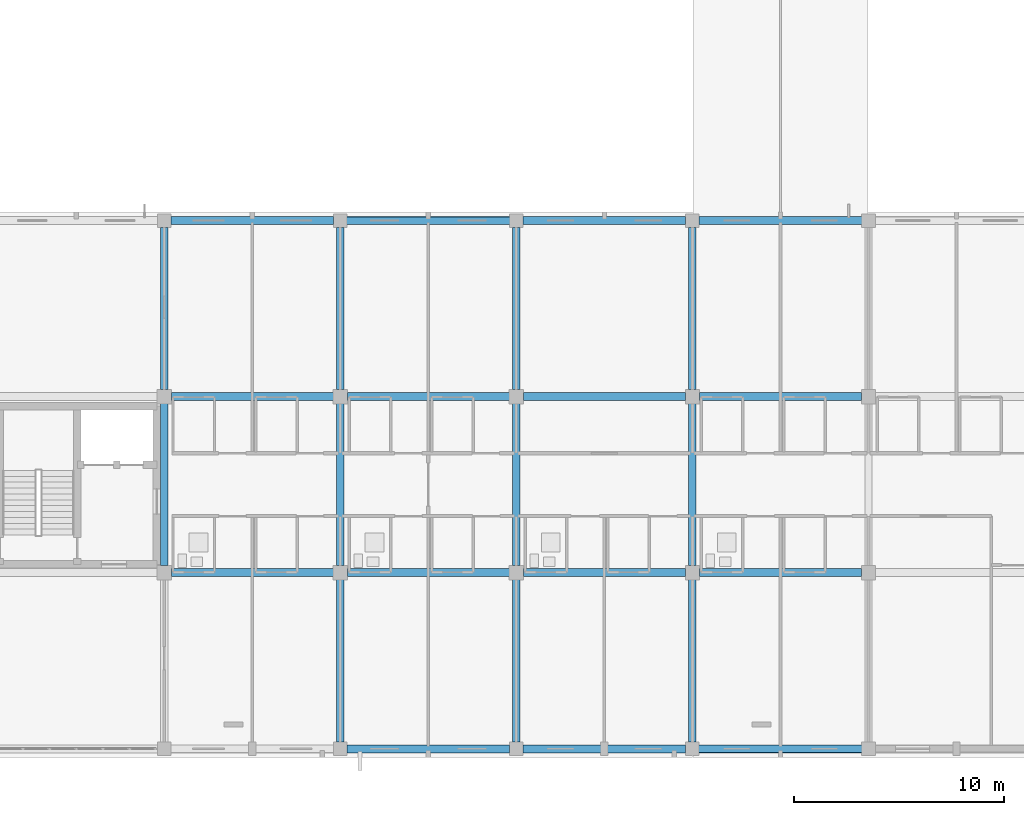
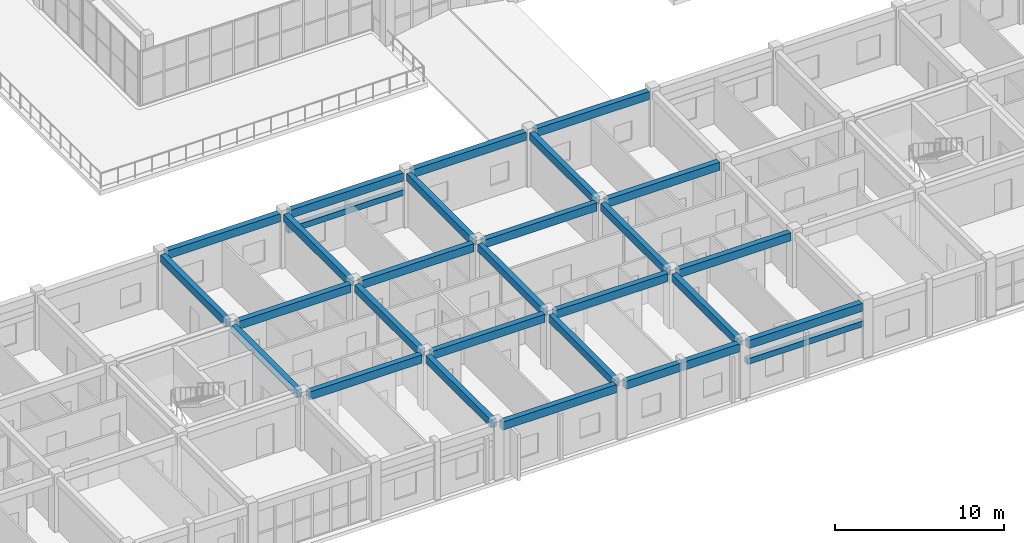
# One storey, part 13 of 90: 28 beams.
"""IFC4 building model written with IfcOpenShell, lengths in metres."""

from ifc_helpers import new_model, si_unit, direction, frame, origin, origin_2d, place, context, subcontext, project, spatial, rectangle, extrude, material, material_profile, profile_set, type_object, element, save


model = new_model("IFC4")

# Units and contexts
model_context = context("Model", 3, precision=1e-05, world=origin(), true_north=direction((0.0, 1.0)))
body_context = subcontext(model_context, "Body", "Model", "MODEL_VIEW")
ifc_project = project(units=[si_unit("LENGTHUNIT", "METRE"), si_unit("AREAUNIT", "SQUARE_METRE"), si_unit("VOLUMEUNIT", "CUBIC_METRE"), si_unit("PLANEANGLEUNIT", "RADIAN"), si_unit("MASSUNIT", "GRAM", prefix="KILO")], contexts=[model_context])

# Site, building, storey
site_placement = place(None, origin())
site = spatial("IfcSite", under=ifc_project, at=site_placement, CompositionType="ELEMENT")
building_placement = place(site_placement, origin())
building = spatial("IfcBuilding", under=site, at=building_placement, Name="Trelvath General Hospital", CompositionType="ELEMENT")
storey_placement = place(building_placement, frame((0.0, 0.0, 20.39990234375)))
storey = spatial("IfcBuildingStorey", under=building, at=storey_placement, Name="L05", CompositionType="ELEMENT", Elevation=20.39990234375)

# Beams
ifc_material_1 = material(Name="Concrete C35/45", Category="concrete")
ifc_material_profile_1 = material_profile(ifc_material_1, rectangle(XDim=0.35009765625, YDim=0.550048828125, at=origin_2d()), Name="RCB350x550")
ifc_profile_set_1 = profile_set([ifc_material_profile_1], Name="Concrete C35/45")
beam_type_1 = type_object("IfcBeamType", Name="Beam RC350x550", PredefinedType="BEAM", material=ifc_profile_set_1)
beam_1_placement = place(storey_placement, frame((50.39990234375, 8.735107421875, 3.64501953125), z_axis=(0.0, 1.0, 0.0), x_axis=(-1.0, 0.0, 0.0)))
element("IfcBeam", 1, at=beam_1_placement, inside=storey, type_object=beam_type_1, Name="Grid Beam BY-506B", PredefinedType="BEAM", context=body_context, shape_type="SweptSolid", body=[
    extrude(rectangle(XDim=0.35009765625, YDim=0.550048828125, at=origin_2d()), origin(), (0.0, 0.0, 1.0), 7.72998046875),
])
for number, where, z_axis, x_axis, name in (
    (2, (50.39990234375, 17.135009765625, 3.64501953125), (0.0, 1.0, 0.0), (-1.0, 0.0, 0.0), "Grid Beam BY-506C"),
    (3, (58.800048828125, 0.320068359375, 3.64501953125), (0.0, 1.0, 0.0), (-1.0, 0.0, 0.0), "Grid Beam BY-507A"),
):
    element("IfcBeam", number, at=place(storey_placement, frame(where, z_axis=z_axis, x_axis=x_axis)), inside=storey, type_object=beam_type_1, Name=name, PredefinedType="BEAM", context=body_context, shape_type="SweptSolid", body=[
        extrude(rectangle(XDim=0.35009765625, YDim=0.550048828125, at=origin_2d()), origin(), (0.0, 0.0, 1.0), 7.744873046875),
    ])
beam_2_placement = place(storey_placement, frame((58.800048828125, 8.735107421875, 3.64501953125), z_axis=(0.0, 1.0, 0.0), x_axis=(-1.0, 0.0, 0.0)))
element("IfcBeam", 4, at=beam_2_placement, inside=storey, type_object=beam_type_1, Name="Grid Beam BY-507B", PredefinedType="BEAM", context=body_context, shape_type="SweptSolid", body=[
    extrude(rectangle(XDim=0.35009765625, YDim=0.550048828125, at=origin_2d()), origin(), (0.0, 0.0, 1.0), 7.72998046875),
])
for number, where, z_axis, x_axis, name in (
    (5, (58.800048828125, 17.135009765625, 3.64501953125), (0.0, 1.0, 0.0), (-1.0, 0.0, 0.0), "Grid Beam BY-507C"),
    (6, (67.199951171875, 0.320068359375, 3.64501953125), (0.0, 1.0, 0.0), (-1.0, 0.0, 0.0), "Grid Beam BY-508A"),
):
    element("IfcBeam", number, at=place(storey_placement, frame(where, z_axis=z_axis, x_axis=x_axis)), inside=storey, type_object=beam_type_1, Name=name, PredefinedType="BEAM", context=body_context, shape_type="SweptSolid", body=[
        extrude(rectangle(XDim=0.35009765625, YDim=0.550048828125, at=origin_2d()), origin(), (0.0, 0.0, 1.0), 7.744873046875),
    ])
beam_3_placement = place(storey_placement, frame((67.199951171875, 8.735107421875, 3.64501953125), z_axis=(0.0, 1.0, 0.0), x_axis=(-1.0, 0.0, 0.0)))
element("IfcBeam", 7, at=beam_3_placement, inside=storey, type_object=beam_type_1, Name="Grid Beam BY-508B", PredefinedType="BEAM", context=body_context, shape_type="SweptSolid", body=[
    extrude(rectangle(XDim=0.35009765625, YDim=0.550048828125, at=origin_2d()), origin(), (0.0, 0.0, 1.0), 7.72998046875),
])
for number, where, z_axis, x_axis, name in (
    (8, (67.199951171875, 17.135009765625, 3.64501953125), (0.0, 1.0, 0.0), (-1.0, 0.0, 0.0), "Grid Beam BY-508C"),
    (9, (75.60009765625, 0.320068359375, 3.64501953125), (0.0, 1.0, 0.0), (-1.0, 0.0, 0.0), "Grid Beam BY-509A"),
):
    element("IfcBeam", number, at=place(storey_placement, frame(where, z_axis=z_axis, x_axis=x_axis)), inside=storey, type_object=beam_type_1, Name=name, PredefinedType="BEAM", context=body_context, shape_type="SweptSolid", body=[
        extrude(rectangle(XDim=0.35009765625, YDim=0.550048828125, at=origin_2d()), origin(), (0.0, 0.0, 1.0), 7.744873046875),
    ])
beam_4_placement = place(storey_placement, frame((75.60009765625, 8.735107421875, 3.64501953125), z_axis=(0.0, 1.0, 0.0), x_axis=(-1.0, 0.0, 0.0)))
element("IfcBeam", 10, at=beam_4_placement, inside=storey, type_object=beam_type_1, Name="Grid Beam BY-509B", PredefinedType="BEAM", context=body_context, shape_type="SweptSolid", body=[
    extrude(rectangle(XDim=0.35009765625, YDim=0.550048828125, at=origin_2d()), origin(), (0.0, 0.0, 1.0), 7.72998046875),
])
beam_5_placement = place(storey_placement, frame((75.60009765625, 17.135009765625, 3.64501953125), z_axis=(0.0, 1.0, 0.0), x_axis=(-1.0, 0.0, 0.0)))
element("IfcBeam", 11, at=beam_5_placement, inside=storey, type_object=beam_type_1, Name="Grid Beam BY-509C", PredefinedType="BEAM", context=body_context, shape_type="SweptSolid", body=[
    extrude(rectangle(XDim=0.35009765625, YDim=0.550048828125, at=origin_2d()), origin(), (0.0, 0.0, 1.0), 7.744873046875),
])
ifc_material_2 = material(Name="Concrete C35/45", Category="concrete")
ifc_material_profile_2 = material_profile(ifc_material_2, rectangle(XDim=0.3798828125, YDim=0.580078125, at=origin_2d()), Name="RCB380x580")
ifc_profile_set_2 = profile_set([ifc_material_profile_2], Name="Concrete C35/45")
beam_type_2 = type_object("IfcBeamType", Name="Beam RC380x580", PredefinedType="BEAM", material=ifc_profile_set_2)
for number, where, z_axis, x_axis, name in (
    (12, (50.735107421875, 8.39990234375, 3.630126953125), (1.0, 0.0, 0.0), (0.0, 1.0, 0.0), "Grid Beam BX-506B"),
    (13, (50.735107421875, 16.800048828125, 3.630126953125), (1.0, 0.0, 0.0), (0.0, 1.0, 0.0), "Grid Beam BX-506C"),
):
    element("IfcBeam", number, at=place(storey_placement, frame(where, z_axis=z_axis, x_axis=x_axis)), inside=storey, type_object=beam_type_2, Name=name, PredefinedType="BEAM", context=body_context, shape_type="SweptSolid", body=[
        extrude(rectangle(XDim=0.3798828125, YDim=0.580078125, at=origin_2d()), origin(), (0.0, 0.0, 1.0), 7.72998046875),
    ])
beam_6_placement = place(storey_placement, frame((50.719970703125, 25.199951171875, 3.630126953125), z_axis=(1.0, 0.0, 0.0), x_axis=(0.0, 1.0, 0.0)))
element("IfcBeam", 14, at=beam_6_placement, inside=storey, type_object=beam_type_2, Name="Grid Beam BX-506D", PredefinedType="BEAM", context=body_context, shape_type="SweptSolid", body=[
    extrude(rectangle(XDim=0.3798828125, YDim=0.580078125, at=origin_2d()), origin(), (0.0, 0.0, 1.0), 7.760009765625),
])
beam_7_placement = place(storey_placement, frame((59.1201171875, 0.0, 3.630126953125), z_axis=(1.0, 0.0, 0.0), x_axis=(0.0, 1.0, 0.0)))
element("IfcBeam", 15, at=beam_7_placement, inside=storey, type_object=beam_type_2, Name="Grid Beam BX-507A", PredefinedType="BEAM", context=body_context, shape_type="SweptSolid", body=[
    extrude(rectangle(XDim=0.3798828125, YDim=0.580078125, at=origin_2d()), origin(), (0.0, 0.0, 1.0), 7.759765625),
])
for number, where, z_axis, x_axis, name in (
    (16, (59.135009765625, 8.39990234375, 3.630126953125), (1.0, 0.0, 0.0), (0.0, 1.0, 0.0), "Grid Beam BX-507B"),
    (17, (59.135009765625, 16.800048828125, 3.630126953125), (1.0, 0.0, 0.0), (0.0, 1.0, 0.0), "Grid Beam BX-507C"),
):
    element("IfcBeam", number, at=place(storey_placement, frame(where, z_axis=z_axis, x_axis=x_axis)), inside=storey, type_object=beam_type_2, Name=name, PredefinedType="BEAM", context=body_context, shape_type="SweptSolid", body=[
        extrude(rectangle(XDim=0.3798828125, YDim=0.580078125, at=origin_2d()), origin(), (0.0, 0.0, 1.0), 7.72998046875),
    ])
beam_8_placement = place(storey_placement, frame((59.1201171875, 25.199951171875, 3.630126953125), z_axis=(1.0, 0.0, 0.0), x_axis=(0.0, 1.0, 0.0)))
element("IfcBeam", 18, at=beam_8_placement, inside=storey, type_object=beam_type_2, Name="Grid Beam BX-507D", PredefinedType="BEAM", context=body_context, shape_type="SweptSolid", body=[
    extrude(rectangle(XDim=0.3798828125, YDim=0.580078125, at=origin_2d()), origin(), (0.0, 0.0, 1.0), 7.759765625),
])
beam_9_placement = place(storey_placement, frame((67.52001953125, 0.0, 3.630126953125), z_axis=(1.0, 0.0, 0.0), x_axis=(0.0, 1.0, 0.0)))
element("IfcBeam", 19, at=beam_9_placement, inside=storey, type_object=beam_type_2, Name="Grid Beam BX-508A", PredefinedType="BEAM", context=body_context, shape_type="SweptSolid", body=[
    extrude(rectangle(XDim=0.3798828125, YDim=0.580078125, at=origin_2d()), origin(), (0.0, 0.0, 1.0), 7.760009765625),
])
for number, where, z_axis, x_axis, name in (
    (20, (67.534912109375, 8.39990234375, 3.630126953125), (1.0, 0.0, 0.0), (0.0, 1.0, 0.0), "Grid Beam BX-508B"),
    (21, (67.534912109375, 16.800048828125, 3.630126953125), (1.0, 0.0, 0.0), (0.0, 1.0, 0.0), "Grid Beam BX-508C"),
):
    element("IfcBeam", number, at=place(storey_placement, frame(where, z_axis=z_axis, x_axis=x_axis)), inside=storey, type_object=beam_type_2, Name=name, PredefinedType="BEAM", context=body_context, shape_type="SweptSolid", body=[
        extrude(rectangle(XDim=0.3798828125, YDim=0.580078125, at=origin_2d()), origin(), (0.0, 0.0, 1.0), 7.72998046875),
    ])
for number, where, z_axis, x_axis, name in (
    (22, (67.52001953125, 25.199951171875, 3.630126953125), (1.0, 0.0, 0.0), (0.0, 1.0, 0.0), "Grid Beam BX-508D"),
    (23, (75.919921875, 0.0, 3.630126953125), (1.0, 0.0, 0.0), (0.0, 1.0, 0.0), "Grid Beam BX-509A"),
):
    element("IfcBeam", number, at=place(storey_placement, frame(where, z_axis=z_axis, x_axis=x_axis)), inside=storey, type_object=beam_type_2, Name=name, PredefinedType="BEAM", context=body_context, shape_type="SweptSolid", body=[
        extrude(rectangle(XDim=0.3798828125, YDim=0.580078125, at=origin_2d()), origin(), (0.0, 0.0, 1.0), 7.760009765625),
    ])
for number, where, z_axis, x_axis, name in (
    (24, (75.93505859375, 8.39990234375, 3.630126953125), (1.0, 0.0, 0.0), (0.0, 1.0, 0.0), "Grid Beam BX-509B"),
    (25, (75.93505859375, 16.800048828125, 3.630126953125), (1.0, 0.0, 0.0), (0.0, 1.0, 0.0), "Grid Beam BX-509C"),
):
    element("IfcBeam", number, at=place(storey_placement, frame(where, z_axis=z_axis, x_axis=x_axis)), inside=storey, type_object=beam_type_2, Name=name, PredefinedType="BEAM", context=body_context, shape_type="SweptSolid", body=[
        extrude(rectangle(XDim=0.3798828125, YDim=0.580078125, at=origin_2d()), origin(), (0.0, 0.0, 1.0), 7.72998046875),
    ])
beam_10_placement = place(storey_placement, frame((75.919921875, 25.199951171875, 3.630126953125), z_axis=(1.0, 0.0, 0.0), x_axis=(0.0, 1.0, 0.0)))
element("IfcBeam", 26, at=beam_10_placement, inside=storey, type_object=beam_type_2, Name="Grid Beam BX-509D", PredefinedType="BEAM", context=body_context, shape_type="SweptSolid", body=[
    extrude(rectangle(XDim=0.3798828125, YDim=0.580078125, at=origin_2d()), origin(), (0.0, 0.0, 1.0), 7.760009765625),
])
ifc_material_3 = material(Name="Precast concrete C40/50", Category="concrete")
ifc_material_profile_3 = material_profile(ifc_material_3, rectangle(XDim=0.35009765625, YDim=0.419921875, at=origin_2d()), Name="PCL350x420")
ifc_profile_set_3 = profile_set([ifc_material_profile_3], Name="Precast concrete C40/50")
beam_type_3 = type_object("IfcBeamType", Name="Lintel PC350x420", PredefinedType="LINTEL", material=ifc_profile_set_3)
for number, where, z_axis, x_axis, name in (
    (27, (59.0400390625, 25.199951171875, 2.489990234375), (1.0, 0.0, 0.0), (0.0, 1.0, 0.0), "Precast Window Brow Lintel L05-509"),
    (28, (83.760009765625, 0.0, 2.41015625), (-1.0, 0.0, 0.0), (0.0, -1.0, 0.0), "Precast Window Brow Lintel L05-516"),
):
    element("IfcBeam", number, at=place(storey_placement, frame(where, z_axis=z_axis, x_axis=x_axis)), inside=storey, type_object=beam_type_3, Name=name, PredefinedType="LINTEL", context=body_context, shape_type="SweptSolid", body=[
        extrude(rectangle(XDim=0.35009765625, YDim=0.419921875, at=origin_2d()), origin(), (0.0, 0.0, 1.0), 7.919921875),
    ])

save(model, "model.ifc")
